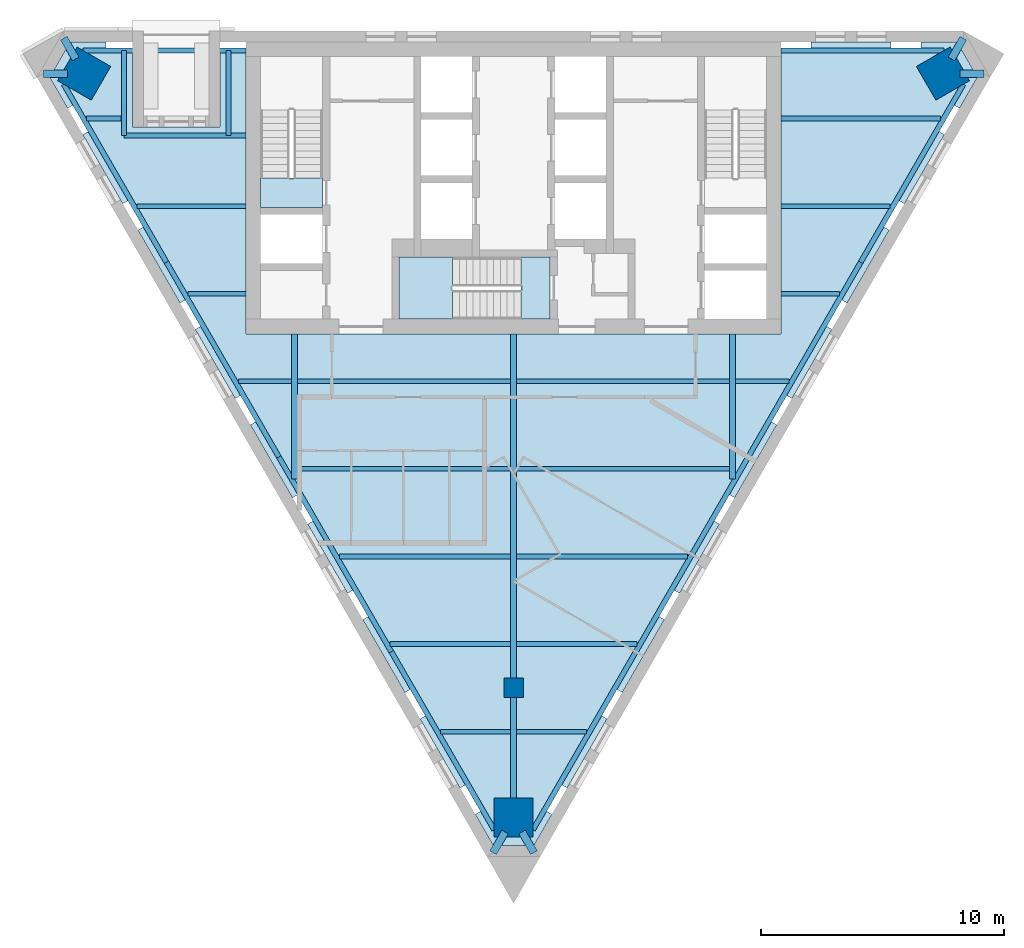
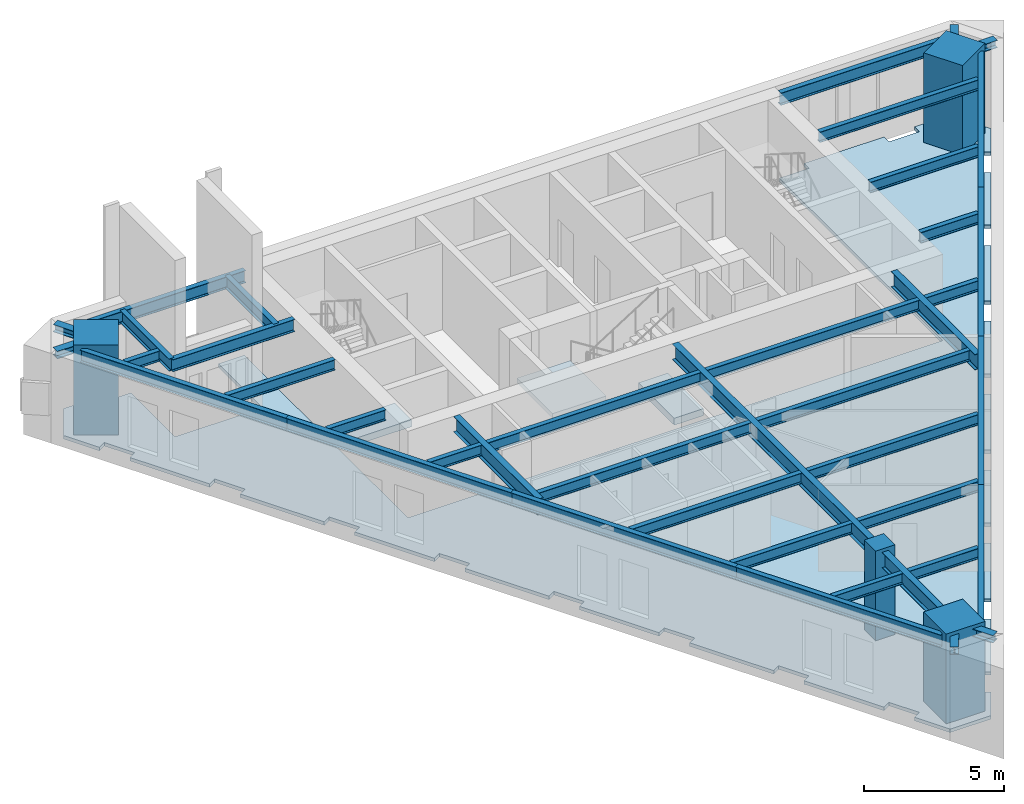
# One storey, part 1 of 6: 41 beams, 4 columns, 4 slabs, 1 element without a shape of its own.
"""IFC4 building model written with IfcOpenShell, lengths in metres."""

from ifc_helpers import new_model, si_unit, direction, frame, origin, origin_2d, place, context, subcontext, project, spatial, polyline, rectangle, i_section, outline, extrude, material, layer, layer_set, material_profile, profile_set, type_object, element, aggregate, save


model = new_model("IFC4")

# Units and contexts
model_context = context("Model", 3, precision=1e-05, world=origin(), true_north=direction((0.0, 1.0)))
body_context = subcontext(model_context, "Body", "Model", "MODEL_VIEW")
ifc_project = project(units=[si_unit("LENGTHUNIT", "METRE"), si_unit("AREAUNIT", "SQUARE_METRE"), si_unit("VOLUMEUNIT", "CUBIC_METRE"), si_unit("PLANEANGLEUNIT", "RADIAN"), si_unit("MASSUNIT", "GRAM", prefix="KILO")], contexts=[model_context])

# Site, building, storey
site_placement = place(None, origin())
site = spatial("IfcSite", under=ifc_project, at=site_placement, CompositionType="ELEMENT")
building_placement = place(site_placement, origin())
building = spatial("IfcBuilding", under=site, at=building_placement, Name="Aloe Facet Convention Tower", CompositionType="ELEMENT")
storey_placement = place(building_placement, frame((0.0, 0.0, 250.39990234375)))
storey = spatial("IfcBuildingStorey", under=building, at=storey_placement, Name="L61", CompositionType="ELEMENT", Elevation=250.39990234375)

# Columns
ifc_material_1 = material(Name="Concrete C70/85", Category="concrete")
ifc_material_profile_1 = material_profile(ifc_material_1, rectangle(XDim=0.800048828125, YDim=0.800048828125, at=origin_2d()), Name="SF-GC-Z5")
ifc_profile_set_1 = profile_set([ifc_material_profile_1], Name="Concrete C70/85")
column_type_1 = type_object("IfcColumnType", Name="SF-GC-Z5", PredefinedType="COLUMN", material=ifc_profile_set_1)
column_placement = place(storey_placement, frame((80.0, 108.0, 0.0), z_axis=(0.0, 0.0, 1.0), x_axis=(1.0, 0.0, 0.0)))
element("IfcColumn", 1, at=column_placement, inside=storey, type_object=column_type_1, Name="Gravity column GC-Z5-9D", PredefinedType="COLUMN", context=body_context, shape_type="SweptSolid", body=[
    extrude(rectangle(XDim=0.800048828125, YDim=0.800048828125, at=origin_2d()), origin(), (0.0, 0.0, 1.0), 3.900146484375),
])
ifc_material_2 = material(Name="Concrete C80/95", Category="concrete")
ifc_material_profile_2 = material_profile(ifc_material_2, rectangle(XDim=1.60009765625, YDim=1.60009765625, at=origin_2d()), Name="STW-MC-Z5")
ifc_profile_set_2 = profile_set([ifc_material_profile_2], Name="Concrete C80/95")
column_type_2 = type_object("IfcColumnType", Name="STW-MC-Z5", PredefinedType="COLUMN", material=ifc_profile_set_2)
for number, where, z_axis, x_axis, name in (
    (2, (97.650634765625, 133.247314453125, 0.0), (0.0, 0.0, 1.0), (-0.5, 0.866025403784, 0.0), "Mega-column MC-NE-L61"),
    (3, (62.349365234375, 133.247314453125, 0.0), (0.0, 0.0, 1.0), (-0.5, -0.866025403784, 0.0), "Mega-column MC-NW-L61"),
    (4, (80.0, 102.67578125, 0.0), (0.0, 0.0, 1.0), (1.0, 0.0, 0.0), "Mega-column MC-S-L61"),
):
    element("IfcColumn", number, at=place(storey_placement, frame(where, z_axis=z_axis, x_axis=x_axis)), inside=storey, type_object=column_type_2, Name=name, PredefinedType="COLUMN", context=body_context, shape_type="SweptSolid", body=[
        extrude(rectangle(XDim=1.60009765625, YDim=1.60009765625, at=origin_2d()), origin(), (0.0, 0.0, 1.0), 3.900146484375),
    ])

# Beams
ifc_material_3 = material(Name="Steel S355", Category="steel")
ifc_material_profile_3 = material_profile(ifc_material_3, i_section(OverallWidth=0.19140625, OverallDepth=0.4599609375, WebThickness=0.010009765625, FlangeThickness=0.01611328125, FilletRadius=0.01025390625, at=origin_2d()), Name="UB 457x191x82")
ifc_profile_set_3 = profile_set([ifc_material_profile_3], Name="Steel S355")
beam_type_1 = type_object("IfcBeamType", Name="SF-B-UB457x191x82", PredefinedType="BEAM", material=ifc_profile_set_3)
beam_1_placement = place(storey_placement, frame((62.452392578125, 131.39990234375, 3.52001953125), z_axis=(1.0, 0.0, 0.0), x_axis=(0.0, 1.0, 0.0)))
element("IfcBeam", 5, at=beam_1_placement, inside=storey, type_object=beam_type_1, Name="Floor beam FB-Z5D-018", PredefinedType="BEAM", context=body_context, shape_type="SweptSolid", body=[
    extrude(i_section(OverallWidth=0.19140625, OverallDepth=0.4599609375, WebThickness=0.010009765625, FlangeThickness=0.01611328125, FilletRadius=0.01025390625, at=origin_2d()), origin(), (0.0, 0.0, 1.0), 1.413818359375),
])
beam_2_placement = place(storey_placement, frame((64.53076171875, 127.800048828125, 3.52001953125), z_axis=(1.0, 0.0, 0.0), x_axis=(0.0, 1.0, 0.0)))
element("IfcBeam", 6, at=beam_2_placement, inside=storey, type_object=beam_type_1, Name="Floor beam FB-Z5D-019", PredefinedType="BEAM", context=body_context, shape_type="SweptSolid", body=[
    extrude(i_section(OverallWidth=0.19140625, OverallDepth=0.4599609375, WebThickness=0.010009765625, FlangeThickness=0.01611328125, FilletRadius=0.01025390625, at=origin_2d()), origin(), (0.0, 0.0, 1.0), 4.46923828125),
])
beam_3_placement = place(storey_placement, frame((66.609130859375, 124.199951171875, 3.52001953125), z_axis=(1.0, 0.0, 0.0), x_axis=(0.0, 1.0, 0.0)))
element("IfcBeam", 7, at=beam_3_placement, inside=storey, type_object=beam_type_1, Name="Floor beam FB-Z5D-020", PredefinedType="BEAM", context=body_context, shape_type="SweptSolid", body=[
    extrude(i_section(OverallWidth=0.19140625, OverallDepth=0.4599609375, WebThickness=0.010009765625, FlangeThickness=0.01611328125, FilletRadius=0.01025390625, at=origin_2d()), origin(), (0.0, 0.0, 1.0), 2.390869140625),
])
beam_4_placement = place(storey_placement, frame((68.687744140625, 120.60009765625, 3.52001953125), z_axis=(1.0, 0.0, 0.0), x_axis=(0.0, 1.0, 0.0)))
element("IfcBeam", 8, at=beam_4_placement, inside=storey, type_object=beam_type_1, Name="Floor beam FB-Z5D-021", PredefinedType="BEAM", context=body_context, shape_type="SweptSolid", body=[
    extrude(i_section(OverallWidth=0.19140625, OverallDepth=0.4599609375, WebThickness=0.010009765625, FlangeThickness=0.01611328125, FilletRadius=0.01025390625, at=origin_2d()), origin(), (0.0, 0.0, 1.0), 2.185791015625),
])
for number, where, z_axis, x_axis, name in (
    (9, (71.12646484375, 117.0, 3.52001953125), (1.0, 0.0, 0.0), (0.0, 1.0, 0.0), "Floor beam FB-Z5D-022"),
    (10, (71.12646484375, 120.60009765625, 3.52001953125), (1.0, 0.0, 0.0), (0.0, 1.0, 0.0), "Floor beam FB-Z5D-023"),
):
    element("IfcBeam", number, at=place(storey_placement, frame(where, z_axis=z_axis, x_axis=x_axis)), inside=storey, type_object=beam_type_1, Name=name, PredefinedType="BEAM", context=body_context, shape_type="SweptSolid", body=[
        extrude(i_section(OverallWidth=0.19140625, OverallDepth=0.4599609375, WebThickness=0.010009765625, FlangeThickness=0.01611328125, FilletRadius=0.01025390625, at=origin_2d()), origin(), (0.0, 0.0, 1.0), 8.7470703125),
    ])
beam_5_placement = place(storey_placement, frame((72.844482421875, 113.39990234375, 3.52001953125), z_axis=(1.0, 0.0, 0.0), x_axis=(0.0, 1.0, 0.0)))
element("IfcBeam", 11, at=beam_5_placement, inside=storey, type_object=beam_type_1, Name="Floor beam FB-Z5D-024", PredefinedType="BEAM", context=body_context, shape_type="SweptSolid", body=[
    extrude(i_section(OverallWidth=0.19140625, OverallDepth=0.4599609375, WebThickness=0.010009765625, FlangeThickness=0.01611328125, FilletRadius=0.01025390625, at=origin_2d()), origin(), (0.0, 0.0, 1.0), 7.029052734375),
])
beam_6_placement = place(storey_placement, frame((74.923095703125, 109.800048828125, 3.52001953125), z_axis=(1.0, 0.0, 0.0), x_axis=(0.0, 1.0, 0.0)))
element("IfcBeam", 12, at=beam_6_placement, inside=storey, type_object=beam_type_1, Name="Floor beam FB-Z5D-025", PredefinedType="BEAM", context=body_context, shape_type="SweptSolid", body=[
    extrude(i_section(OverallWidth=0.19140625, OverallDepth=0.4599609375, WebThickness=0.010009765625, FlangeThickness=0.01611328125, FilletRadius=0.01025390625, at=origin_2d()), origin(), (0.0, 0.0, 1.0), 4.950439453125),
])
for number, where, z_axis, x_axis, name in (
    (13, (77.00146484375, 106.199951171875, 3.52001953125), (1.0, 0.0, 0.0), (0.0, 1.0, 0.0), "Floor beam FB-Z5D-026"),
    (14, (80.12646484375, 106.199951171875, 3.52001953125), (1.0, 0.0, 0.0), (0.0, 1.0, 0.0), "Floor beam FB-Z5D-027"),
):
    element("IfcBeam", number, at=place(storey_placement, frame(where, z_axis=z_axis, x_axis=x_axis)), inside=storey, type_object=beam_type_1, Name=name, PredefinedType="BEAM", context=body_context, shape_type="SweptSolid", body=[
        extrude(i_section(OverallWidth=0.19140625, OverallDepth=0.4599609375, WebThickness=0.010009765625, FlangeThickness=0.01611328125, FilletRadius=0.01025390625, at=origin_2d()), origin(), (0.0, 0.0, 1.0), 2.8720703125),
    ])
beam_7_placement = place(storey_placement, frame((80.12646484375, 109.800048828125, 3.52001953125), z_axis=(1.0, 0.0, 0.0), x_axis=(0.0, 1.0, 0.0)))
element("IfcBeam", 15, at=beam_7_placement, inside=storey, type_object=beam_type_1, Name="Floor beam FB-Z5D-028", PredefinedType="BEAM", context=body_context, shape_type="SweptSolid", body=[
    extrude(i_section(OverallWidth=0.19140625, OverallDepth=0.4599609375, WebThickness=0.010009765625, FlangeThickness=0.01611328125, FilletRadius=0.01025390625, at=origin_2d()), origin(), (0.0, 0.0, 1.0), 4.950439453125),
])
beam_8_placement = place(storey_placement, frame((80.12646484375, 113.39990234375, 3.52001953125), z_axis=(1.0, 0.0, 0.0), x_axis=(0.0, 1.0, 0.0)))
element("IfcBeam", 16, at=beam_8_placement, inside=storey, type_object=beam_type_1, Name="Floor beam FB-Z5D-029", PredefinedType="BEAM", context=body_context, shape_type="SweptSolid", body=[
    extrude(i_section(OverallWidth=0.19140625, OverallDepth=0.4599609375, WebThickness=0.010009765625, FlangeThickness=0.01611328125, FilletRadius=0.01025390625, at=origin_2d()), origin(), (0.0, 0.0, 1.0), 7.029052734375),
])
for number, where, z_axis, x_axis, name in (
    (17, (80.12646484375, 117.0, 3.52001953125), (1.0, 0.0, 0.0), (0.0, 1.0, 0.0), "Floor beam FB-Z5D-030"),
    (18, (80.12646484375, 120.60009765625, 3.52001953125), (1.0, 0.0, 0.0), (0.0, 1.0, 0.0), "Floor beam FB-Z5D-031"),
):
    element("IfcBeam", number, at=place(storey_placement, frame(where, z_axis=z_axis, x_axis=x_axis)), inside=storey, type_object=beam_type_1, Name=name, PredefinedType="BEAM", context=body_context, shape_type="SweptSolid", body=[
        extrude(i_section(OverallWidth=0.19140625, OverallDepth=0.4599609375, WebThickness=0.010009765625, FlangeThickness=0.01611328125, FilletRadius=0.01025390625, at=origin_2d()), origin(), (0.0, 0.0, 1.0), 8.7470703125),
    ])
beam_9_placement = place(storey_placement, frame((89.12646484375, 120.60009765625, 3.52001953125), z_axis=(1.0, 0.0, 0.0), x_axis=(0.0, 1.0, 0.0)))
element("IfcBeam", 19, at=beam_9_placement, inside=storey, type_object=beam_type_1, Name="Floor beam FB-Z5D-032", PredefinedType="BEAM", context=body_context, shape_type="SweptSolid", body=[
    extrude(i_section(OverallWidth=0.19140625, OverallDepth=0.4599609375, WebThickness=0.010009765625, FlangeThickness=0.01611328125, FilletRadius=0.01025390625, at=origin_2d()), origin(), (0.0, 0.0, 1.0), 2.185791015625),
])
beam_10_placement = place(storey_placement, frame((91.0, 124.199951171875, 3.52001953125), z_axis=(1.0, 0.0, 0.0), x_axis=(0.0, 1.0, 0.0)))
element("IfcBeam", 20, at=beam_10_placement, inside=storey, type_object=beam_type_1, Name="Floor beam FB-Z5D-033", PredefinedType="BEAM", context=body_context, shape_type="SweptSolid", body=[
    extrude(i_section(OverallWidth=0.19140625, OverallDepth=0.4599609375, WebThickness=0.010009765625, FlangeThickness=0.01611328125, FilletRadius=0.01025390625, at=origin_2d()), origin(), (0.0, 0.0, 1.0), 2.390869140625),
])
beam_11_placement = place(storey_placement, frame((91.0, 127.800048828125, 3.52001953125), z_axis=(1.0, 0.0, 0.0), x_axis=(0.0, 1.0, 0.0)))
element("IfcBeam", 21, at=beam_11_placement, inside=storey, type_object=beam_type_1, Name="Floor beam FB-Z5D-034", PredefinedType="BEAM", context=body_context, shape_type="SweptSolid", body=[
    extrude(i_section(OverallWidth=0.19140625, OverallDepth=0.4599609375, WebThickness=0.010009765625, FlangeThickness=0.01611328125, FilletRadius=0.01025390625, at=origin_2d()), origin(), (0.0, 0.0, 1.0), 4.46923828125),
])
beam_12_placement = place(storey_placement, frame((91.0, 131.39990234375, 3.52001953125), z_axis=(1.0, 0.0, 0.0), x_axis=(0.0, 1.0, 0.0)))
element("IfcBeam", 22, at=beam_12_placement, inside=storey, type_object=beam_type_1, Name="Floor beam FB-Z5D-035", PredefinedType="BEAM", context=body_context, shape_type="SweptSolid", body=[
    extrude(i_section(OverallWidth=0.19140625, OverallDepth=0.4599609375, WebThickness=0.010009765625, FlangeThickness=0.01611328125, FilletRadius=0.01025390625, at=origin_2d()), origin(), (0.0, 0.0, 1.0), 6.547607421875),
])
ifc_material_4 = material(Name="Steel S355", Category="steel")
ifc_material_profile_4 = material_profile(ifc_material_4, i_section(OverallWidth=0.209228515625, OverallDepth=0.533203125, WebThickness=0.010009765625, FlangeThickness=0.015625, FilletRadius=0.0126953125, at=origin_2d()), Name="UB 533x210x92")
ifc_profile_set_4 = profile_set([ifc_material_profile_4], Name="Steel S355")
beam_type_2 = type_object("IfcBeamType", Name="SF-B-UB533x210x92", PredefinedType="BEAM", material=ifc_profile_set_4)
beam_13_placement = place(storey_placement, frame((62.3076171875, 134.1953125, 3.483642578125), z_axis=(1.0, 0.0, 0.0), x_axis=(0.0, 1.0, 0.0)))
element("IfcBeam", 23, at=beam_13_placement, inside=storey, type_object=beam_type_2, Name="Floor beam FB-Z5D-001", PredefinedType="BEAM", context=body_context, shape_type="SweptSolid", body=[
    extrude(i_section(OverallWidth=0.209228515625, OverallDepth=0.533203125, WebThickness=0.010009765625, FlangeThickness=0.015625, FilletRadius=0.0126953125, at=origin_2d()), origin(), (0.0, 0.0, 1.0), 6.6923828125),
])
beam_14_placement = place(storey_placement, frame((63.980712890625, 130.6953125, 3.483642578125), z_axis=(1.0, 0.0, 0.0), x_axis=(0.0, 1.0, 0.0)))
element("IfcBeam", 24, at=beam_14_placement, inside=storey, type_object=beam_type_2, Name="Floor beam FB-Z5D-002", PredefinedType="BEAM", context=body_context, shape_type="SweptSolid", body=[
    extrude(i_section(OverallWidth=0.209228515625, OverallDepth=0.533203125, WebThickness=0.010009765625, FlangeThickness=0.015625, FilletRadius=0.0126953125, at=origin_2d()), origin(), (0.0, 0.0, 1.0), 5.019287109375),
])
beam_15_placement = place(storey_placement, frame((63.980712890625, 134.1953125, 3.483642578125), z_axis=(0.0, -1.0, 0.0), x_axis=(1.0, 0.0, 0.0)))
element("IfcBeam", 25, at=beam_15_placement, inside=storey, type_object=beam_type_2, Name="Floor beam FB-Z5D-003", PredefinedType="BEAM", context=body_context, shape_type="SweptSolid", body=[
    extrude(i_section(OverallWidth=0.209228515625, OverallDepth=0.533203125, WebThickness=0.010009765625, FlangeThickness=0.015625, FilletRadius=0.0126953125, at=origin_2d()), origin(), (0.0, 0.0, 1.0), 3.5),
])
beam_16_placement = place(storey_placement, frame((65.732177734375, 125.4921875, 3.483642578125), z_axis=(-0.499980071345, 0.866036909293, 0.0), x_axis=(-0.866036909293, -0.499980071345, 0.0)))
element("IfcBeam", 26, at=beam_16_placement, inside=storey, type_object=beam_type_2, Name="Floor beam FB-Z5D-004", PredefinedType="BEAM", context=body_context, shape_type="SweptSolid", body=[
    extrude(i_section(OverallWidth=0.209228515625, OverallDepth=0.533203125, WebThickness=0.010009765625, FlangeThickness=0.015625, FilletRadius=0.0126953125, at=origin_2d()), origin(), (0.0, 0.0, 1.0), 8.449462890625),
])
beam_17_placement = place(storey_placement, frame((68.2900390625, 130.6953125, 3.483642578125), z_axis=(0.0, 1.0, 0.0), x_axis=(-1.0, 0.0, 0.0)))
element("IfcBeam", 27, at=beam_17_placement, inside=storey, type_object=beam_type_2, Name="Floor beam FB-Z5D-005", PredefinedType="BEAM", context=body_context, shape_type="SweptSolid", body=[
    extrude(i_section(OverallWidth=0.209228515625, OverallDepth=0.533203125, WebThickness=0.010009765625, FlangeThickness=0.015625, FilletRadius=0.0126953125, at=origin_2d()), origin(), (0.0, 0.0, 1.0), 3.5),
])
for number, where, z_axis, x_axis, name in (
    (28, (70.353759765625, 117.487548828125, 3.483642578125), (-0.500008255345, 0.866020637506, 0.0), (-0.866020637506, -0.500008255345, 0.0), "Floor beam FB-Z5D-006"),
    (29, (74.975341796875, 109.48291015625, 3.483642578125), (-0.500008255345, 0.866020637506, 0.0), (-0.866020637506, -0.500008255345, 0.0), "Floor beam FB-Z5D-007"),
):
    element("IfcBeam", number, at=place(storey_placement, frame(where, z_axis=z_axis, x_axis=x_axis)), inside=storey, type_object=beam_type_2, Name=name, PredefinedType="BEAM", context=body_context, shape_type="SweptSolid", body=[
        extrude(i_section(OverallWidth=0.209228515625, OverallDepth=0.533203125, WebThickness=0.010009765625, FlangeThickness=0.015625, FilletRadius=0.0126953125, at=origin_2d()), origin(), (0.0, 0.0, 1.0), 9.242919921875),
    ])
for number, where, z_axis, x_axis, name in (
    (30, (79.199951171875, 102.16552734375, 3.483642578125), (-0.499992582699, 0.866029686123, 0.0), (-0.866029686123, -0.499992582699, 0.0), "Floor beam FB-Z5D-008"),
    (31, (85.024658203125, 109.48291015625, 3.483642578125), (-0.499992582699, -0.866029686123, 0.0), (0.866029686123, -0.499992582699, 0.0), "Floor beam FB-Z5D-009"),
):
    element("IfcBeam", number, at=place(storey_placement, frame(where, z_axis=z_axis, x_axis=x_axis)), inside=storey, type_object=beam_type_2, Name=name, PredefinedType="BEAM", context=body_context, shape_type="SweptSolid", body=[
        extrude(i_section(OverallWidth=0.209228515625, OverallDepth=0.533203125, WebThickness=0.010009765625, FlangeThickness=0.015625, FilletRadius=0.0126953125, at=origin_2d()), origin(), (0.0, 0.0, 1.0), 8.449462890625),
    ])
beam_18_placement = place(storey_placement, frame((89.646240234375, 117.487548828125, 3.483642578125), z_axis=(-0.500008255345, -0.866020637506, 0.0), x_axis=(0.866020637506, -0.500008255345, 0.0)))
element("IfcBeam", 32, at=beam_18_placement, inside=storey, type_object=beam_type_2, Name="Floor beam FB-Z5D-010", PredefinedType="BEAM", context=body_context, shape_type="SweptSolid", body=[
    extrude(i_section(OverallWidth=0.209228515625, OverallDepth=0.533203125, WebThickness=0.010009765625, FlangeThickness=0.015625, FilletRadius=0.0126953125, at=origin_2d()), origin(), (0.0, 0.0, 1.0), 9.242919921875),
])
beam_19_placement = place(storey_placement, frame((91.0, 134.1953125, 3.483642578125), z_axis=(1.0, 0.0, 0.0), x_axis=(0.0, 1.0, 0.0)))
element("IfcBeam", 33, at=beam_19_placement, inside=storey, type_object=beam_type_2, Name="Floor beam FB-Z5D-011", PredefinedType="BEAM", context=body_context, shape_type="SweptSolid", body=[
    extrude(i_section(OverallWidth=0.209228515625, OverallDepth=0.533203125, WebThickness=0.010009765625, FlangeThickness=0.015625, FilletRadius=0.0126953125, at=origin_2d()), origin(), (0.0, 0.0, 1.0), 6.6923828125),
])
beam_20_placement = place(storey_placement, frame((94.267822265625, 125.4921875, 3.483642578125), z_axis=(-0.500008255345, -0.866020637506, 0.0), x_axis=(0.866020637506, -0.500008255345, 0.0)))
element("IfcBeam", 34, at=beam_20_placement, inside=storey, type_object=beam_type_2, Name="Floor beam FB-Z5D-012", PredefinedType="BEAM", context=body_context, shape_type="SweptSolid", body=[
    extrude(i_section(OverallWidth=0.209228515625, OverallDepth=0.533203125, WebThickness=0.010009765625, FlangeThickness=0.015625, FilletRadius=0.0126953125, at=origin_2d()), origin(), (0.0, 0.0, 1.0), 9.242919921875),
])
beam_21_placement = place(storey_placement, frame((98.492431640625, 132.809814453125, 3.483642578125), z_axis=(-0.499980071345, -0.866036909293, 0.0), x_axis=(0.866036909293, -0.499980071345, 0.0)))
element("IfcBeam", 35, at=beam_21_placement, inside=storey, type_object=beam_type_2, Name="Floor beam FB-Z5D-013", PredefinedType="BEAM", context=body_context, shape_type="SweptSolid", body=[
    extrude(i_section(OverallWidth=0.209228515625, OverallDepth=0.533203125, WebThickness=0.010009765625, FlangeThickness=0.015625, FilletRadius=0.0126953125, at=origin_2d()), origin(), (0.0, 0.0, 1.0), 8.449462890625),
])
ifc_material_5 = material(Name="Steel S355", Category="steel")
ifc_material_profile_5 = material_profile(ifc_material_5, i_section(OverallWidth=0.2529296875, OverallDepth=0.677978515625, WebThickness=0.01171875, FlangeThickness=0.01611328125, FilletRadius=0.01513671875, at=origin_2d()), Name="UB 686x254x125")
ifc_profile_set_5 = profile_set([ifc_material_profile_5], Name="Steel S355")
beam_type_3 = type_object("IfcBeamType", Name="SF-B-UB686x254x125", PredefinedType="BEAM", material=ifc_profile_set_5)
beam_22_placement = place(storey_placement, frame((71.0, 122.550048828125, 3.4111328125), z_axis=(0.0, -1.0, 0.0), x_axis=(1.0, 0.0, 0.0)))
element("IfcBeam", 36, at=beam_22_placement, inside=storey, type_object=beam_type_3, Name="Floor beam FB-Z5D-014", PredefinedType="BEAM", context=body_context, shape_type="SweptSolid", body=[
    extrude(i_section(OverallWidth=0.2529296875, OverallDepth=0.677978515625, WebThickness=0.01171875, FlangeThickness=0.01611328125, FilletRadius=0.01513671875, at=origin_2d()), origin(), (0.0, 0.0, 1.0), 5.96240234375),
])
beam_23_placement = place(storey_placement, frame((80.0, 107.60009765625, 3.4111328125), z_axis=(0.0, -1.0, 0.0), x_axis=(1.0, 0.0, 0.0)))
element("IfcBeam", 37, at=beam_23_placement, inside=storey, type_object=beam_type_3, Name="Floor beam FB-Z5D-015", PredefinedType="BEAM", context=body_context, shape_type="SweptSolid", body=[
    extrude(i_section(OverallWidth=0.2529296875, OverallDepth=0.677978515625, WebThickness=0.01171875, FlangeThickness=0.01611328125, FilletRadius=0.01513671875, at=origin_2d()), origin(), (0.0, 0.0, 1.0), 5.60498046875),
])
beam_24_placement = place(storey_placement, frame((80.0, 122.550048828125, 3.4111328125), z_axis=(0.0, -1.0, 0.0), x_axis=(1.0, 0.0, 0.0)))
element("IfcBeam", 38, at=beam_24_placement, inside=storey, type_object=beam_type_3, Name="Floor beam FB-Z5D-016", PredefinedType="BEAM", context=body_context, shape_type="SweptSolid", body=[
    extrude(i_section(OverallWidth=0.2529296875, OverallDepth=0.677978515625, WebThickness=0.01171875, FlangeThickness=0.01611328125, FilletRadius=0.01513671875, at=origin_2d()), origin(), (0.0, 0.0, 1.0), 14.150146484375),
])
beam_25_placement = place(storey_placement, frame((89.0, 122.550048828125, 3.4111328125), z_axis=(0.0, -1.0, 0.0), x_axis=(1.0, 0.0, 0.0)))
element("IfcBeam", 39, at=beam_25_placement, inside=storey, type_object=beam_type_3, Name="Floor beam FB-Z5D-017", PredefinedType="BEAM", context=body_context, shape_type="SweptSolid", body=[
    extrude(i_section(OverallWidth=0.2529296875, OverallDepth=0.677978515625, WebThickness=0.01171875, FlangeThickness=0.01611328125, FilletRadius=0.01513671875, at=origin_2d()), origin(), (0.0, 0.0, 1.0), 5.96240234375),
])
ifc_material_6 = material(Name="Steel S355", Category="steel")
ifc_material_profile_6 = material_profile(ifc_material_6, i_section(OverallWidth=0.311279296875, OverallDepth=0.3271484375, WebThickness=0.015869140625, FlangeThickness=0.02490234375, FilletRadius=0.01513671875, at=origin_2d()), Name="UC 305x305x158")
ifc_profile_set_6 = profile_set([ifc_material_profile_6], Name="Steel S355")
beam_type_4 = type_object("IfcBeamType", Name="STW-NT", PredefinedType="BEAM", material=ifc_profile_set_6)
for number, where, z_axis, x_axis, name in (
    (40, (98.486083984375, 134.699951171875, 3.58642578125), (-0.498545832362, -0.866863341614, 0.0), (0.866863341614, -0.498545832362, 0.0), "Lattice tie NT-Z5-F1-R2-01"),
    (41, (61.513916015625, 134.699951171875, 3.58642578125), (0.498545832362, -0.866863341614, 0.0), (0.866863341614, 0.498545832362, 0.0), "Lattice tie NT-Z5-F1-R2-05"),
    (42, (60.673583984375, 133.24462890625, 3.58642578125), (0.999998486964, 0.001739559992, 0.0), (-0.001739559992, 0.999998486964, 0.0), "Lattice tie NT-Z5-F2-R2-01"),
):
    element("IfcBeam", number, at=place(storey_placement, frame(where, z_axis=z_axis, x_axis=x_axis)), inside=storey, type_object=beam_type_4, Name=name, PredefinedType="BEAM", context=body_context, shape_type="SweptSolid", body=[
        extrude(i_section(OverallWidth=0.311279296875, OverallDepth=0.3271484375, WebThickness=0.015869140625, FlangeThickness=0.02490234375, FilletRadius=0.01513671875, at=origin_2d()), origin(), (0.0, 0.0, 1.0), 0.982421875),
    ])
for number, where, z_axis, x_axis, name in (
    (43, (79.159912109375, 101.225830078125, 3.58642578125), (0.501349776587, 0.865244706147, 0.0), (-0.865244706147, 0.501349776587, 0.0), "Lattice tie NT-Z5-F2-R2-05"),
    (44, (80.840087890625, 101.225830078125, 3.58642578125), (-0.501349776587, 0.865244706147, 0.0), (-0.865244706147, -0.501349776587, 0.0), "Lattice tie NT-Z5-F3-R2-01"),
):
    element("IfcBeam", number, at=place(storey_placement, frame(where, z_axis=z_axis, x_axis=x_axis)), inside=storey, type_object=beam_type_4, Name=name, PredefinedType="BEAM", context=body_context, shape_type="SweptSolid", body=[
        extrude(i_section(OverallWidth=0.311279296875, OverallDepth=0.3271484375, WebThickness=0.015869140625, FlangeThickness=0.02490234375, FilletRadius=0.01513671875, at=origin_2d()), origin(), (0.0, 0.0, 1.0), 0.982177734375),
    ])
beam_26_placement = place(storey_placement, frame((99.326416015625, 133.24462890625, 3.58642578125), z_axis=(-0.999998486964, 0.001739559992, 0.0), x_axis=(-0.001739559992, -0.999998486964, 0.0)))
element("IfcBeam", 45, at=beam_26_placement, inside=storey, type_object=beam_type_4, Name="Lattice tie NT-Z5-F3-R2-05", PredefinedType="BEAM", context=body_context, shape_type="SweptSolid", body=[
    extrude(i_section(OverallWidth=0.311279296875, OverallDepth=0.3271484375, WebThickness=0.015869140625, FlangeThickness=0.02490234375, FilletRadius=0.01513671875, at=origin_2d()), origin(), (0.0, 0.0, 1.0), 0.982421875),
])

# Slabs
ifc_material_7 = material(Name="Concrete C50/60", Category="concrete")
ifc_layer_1 = layer(ifc_material_7, 0.300048828125)
ifc_layer_set_1 = layer_set([ifc_layer_1], Name="CR-S-FLOOR300-C5060")
slab_type_1 = type_object("IfcSlabType", Name="CR-S-FLOOR300-C5060", PredefinedType="FLOOR", material=ifc_layer_set_1)
slab_1_placement = place(storey_placement, frame((0.0, 0.0, -0.2998046875)))
element("IfcSlab", 46, at=slab_1_placement, inside=storey, type_object=slab_type_1, Name="Stair landing floor L61", PredefinedType="FLOOR", context=body_context, shape_type="SweptSolid", body=[
    extrude(outline(polyline([(72.14990234375, 127.75), (72.14990234375, 128.951171875), (69.60009765625, 128.951171875), (69.60009765625, 127.75), (72.14990234375, 127.75)])), origin(), (0.0, 0.0, 1.0), 0.2998046875),
])
slab_2_placement = place(storey_placement, frame((0.0, 0.0, -0.2998046875)))
element("IfcSlab", 47, at=slab_2_placement, inside=storey, type_object=slab_type_1, Name="Stair landing floor L61", PredefinedType="FLOOR", context=body_context, shape_type="SweptSolid", body=[
    extrude(outline(polyline([(81.5, 125.699951171875), (80.298828125, 125.699951171875), (80.298828125, 123.14990234375), (81.5, 123.14990234375), (81.5, 125.699951171875)])), origin(), (0.0, 0.0, 1.0), 0.2998046875),
])

# Stair, slab
ifc_material_8 = material(Name="Concrete C50/60", Category="concrete")
stair_type = type_object("IfcStairType", Name="CR-ST-22R", PredefinedType="HALF_TURN_STAIR", material=ifc_material_8)
stair_placement = place(storey_placement, origin())
stair = element("IfcStair", 48, at=stair_placement, inside=storey, type_object=stair_type, Name="L61 Protected exit stair ST3", PredefinedType="HALF_TURN_STAIR")
ifc_material_9 = material(Name="Concrete C50/60", Category="concrete")
ifc_layer_2 = layer(ifc_material_9, 0.199951171875)
ifc_layer_set_2 = layer_set([ifc_layer_2], Name="CR-SL-LANDING")
slab_type_2 = type_object("IfcSlabType", Name="CR-SL-LANDING", PredefinedType="LANDING", material=ifc_layer_set_2)
slab_3_placement = place(storey_placement, frame((0.0, 0.0, 1.75)))
slab_3 = element("IfcSlab", 49, at=slab_3_placement, type_object=slab_type_2, Name="ST3 landing 1", PredefinedType="LANDING", context=body_context, shape_type="SweptSolid", body=[
    extrude(outline(polyline([(77.5, 125.699951171875), (75.300048828125, 125.699951171875), (75.300048828125, 123.14990234375), (77.5, 123.14990234375), (77.5, 125.699951171875)])), origin(), (0.0, 0.0, 1.0), 0.2001953125),
])
aggregate(stair, [slab_3])

# Slab
ifc_material_10 = material(Name="Concrete C35/45", Category="concrete")
ifc_layer_3 = layer(ifc_material_10, 0.14990234375)
ifc_layer_set_3 = layer_set([ifc_layer_3], Name="SF-FS-150")
slab_type_3 = type_object("IfcSlabType", Name="SF-FS-150", PredefinedType="FLOOR", material=ifc_layer_set_3)
slab_4_placement = place(storey_placement, frame((0.0, 0.0, -0.14990234375)))
element("IfcSlab", 50, at=slab_4_placement, inside=storey, type_object=slab_type_3, Name="Floor slab L61-1", PredefinedType="FLOOR", context=body_context, shape_type="SweptSolid", body=[
    extrude(outline(polyline([(99.06640625, 133.0947265625), (98.33154296875, 131.822021484375), (98.028564453125, 131.996826171875), (97.40283203125, 130.913330078125), (97.7060546875, 130.73828125), (96.065185546875, 127.896484375), (95.76220703125, 128.071533203125), (95.13671875, 126.98779296875), (95.439697265625, 126.81298828125), (93.710205078125, 123.817138671875), (93.406982421875, 123.9921875), (92.781494140625, 122.908447265625), (93.08447265625, 122.7333984375), (91.44384765625, 119.8916015625), (91.140625, 120.066650390625), (90.51513671875, 118.983154296875), (90.818115234375, 118.80810546875), (89.088623046875, 115.8125), (88.785400390625, 115.9873046875), (88.159912109375, 114.90380859375), (88.462890625, 114.728759765625), (86.822265625, 111.886962890625), (86.51904296875, 112.06201171875), (85.8935546875, 110.978515625), (86.196533203125, 110.803466796875), (84.467041015625, 107.8076171875), (84.163818359375, 107.982666015625), (83.538330078125, 106.899169921875), (83.84130859375, 106.72412109375), (82.20068359375, 103.882080078125), (81.897705078125, 104.05712890625), (81.27197265625, 102.9736328125), (81.5751953125, 102.798583984375), (80.840087890625, 101.52587890625), (79.159912109375, 101.52587890625), (78.4248046875, 102.798583984375), (78.72802734375, 102.9736328125), (78.102294921875, 104.05712890625), (77.79931640625, 103.882080078125), (76.15869140625, 106.72412109375), (76.461669921875, 106.899169921875), (75.836181640625, 107.982666015625), (75.532958984375, 107.8076171875), (73.803466796875, 110.803466796875), (74.1064453125, 110.978515625), (73.48095703125, 112.06201171875), (73.177734375, 111.886962890625), (71.537109375, 114.728759765625), (71.840087890625, 114.90380859375), (71.214599609375, 115.9873046875), (70.911376953125, 115.8125), (69.181884765625, 118.80810546875), (69.48486328125, 118.983154296875), (68.859375, 120.066650390625), (68.55615234375, 119.8916015625), (66.91552734375, 122.7333984375), (67.218505859375, 122.908447265625), (66.593017578125, 123.9921875), (66.289794921875, 123.817138671875), (64.560302734375, 126.81298828125), (64.86328125, 126.98779296875), (64.23779296875, 128.071533203125), (63.934814453125, 127.896484375), (62.2939453125, 130.73828125), (62.59716796875, 130.913330078125), (61.971435546875, 131.996826171875), (61.66845703125, 131.822021484375), (60.93359375, 133.0947265625), (61.773681640625, 134.550048828125), (63.243408203125, 134.550048828125), (63.243408203125, 134.199951171875), (64.33544921875, 134.199951171875), (64.33544921875, 131.050048828125), (67.935302734375, 131.050048828125), (67.935302734375, 134.199951171875), (69.0, 134.199951171875), (69.0, 128.050048828125), (69.0, 127.14990234375), (69.0, 125.75), (69.0, 124.85009765625), (69.0, 122.550048828125), (71.85009765625, 122.550048828125), (72.75, 122.550048828125), (74.699951171875, 122.550048828125), (75.60009765625, 122.550048828125), (81.199951171875, 122.550048828125), (82.10009765625, 122.550048828125), (84.39990234375, 122.550048828125), (85.300048828125, 122.550048828125), (87.25, 122.550048828125), (88.14990234375, 122.550048828125), (91.0, 122.550048828125), (91.0, 124.85009765625), (91.0, 125.75), (91.0, 127.14990234375), (91.0, 128.050048828125), (91.0, 134.199951171875), (92.223876953125, 134.199951171875), (92.223876953125, 134.550048828125), (95.50537109375, 134.550048828125), (95.50537109375, 134.199951171875), (96.756591796875, 134.199951171875), (96.756591796875, 134.550048828125), (98.226318359375, 134.550048828125), (99.06640625, 133.0947265625)]), holes=[polyline([(80.800048828125, 101.875732421875), (80.800048828125, 103.475830078125), (79.199951171875, 103.475830078125), (79.199951171875, 101.875732421875), (80.800048828125, 101.875732421875)]), polyline([(62.056640625, 134.340087890625), (61.256591796875, 132.95458984375), (62.642333984375, 132.154541015625), (63.4423828125, 133.540283203125), (62.056640625, 134.340087890625)]), polyline([(80.39990234375, 107.60009765625), (80.39990234375, 108.39990234375), (79.60009765625, 108.39990234375), (79.60009765625, 107.60009765625), (80.39990234375, 107.60009765625)]), polyline([(98.743408203125, 132.95458984375), (97.943359375, 134.340087890625), (96.5576171875, 133.540283203125), (97.357666015625, 132.154541015625), (98.743408203125, 132.95458984375)])]), origin(), (0.0, 0.0, 1.0), 0.14990234375),
])

save(model, "model.ifc")
